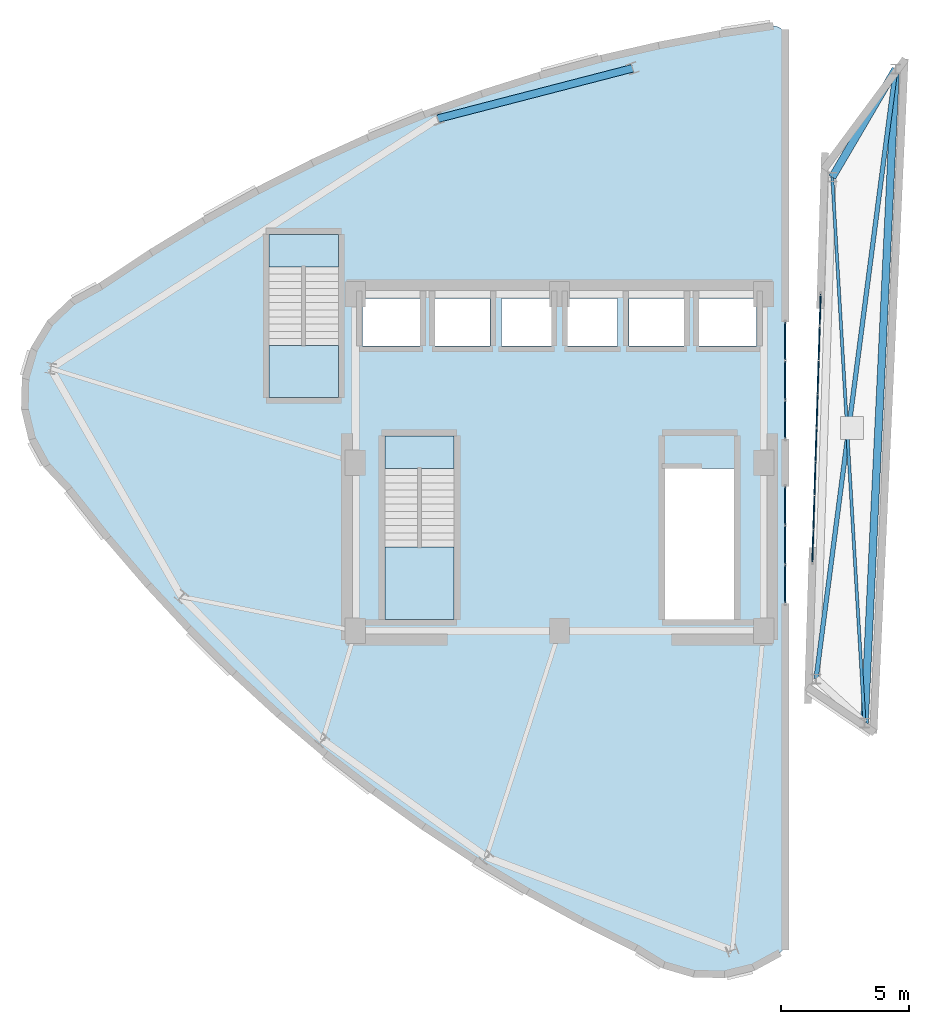
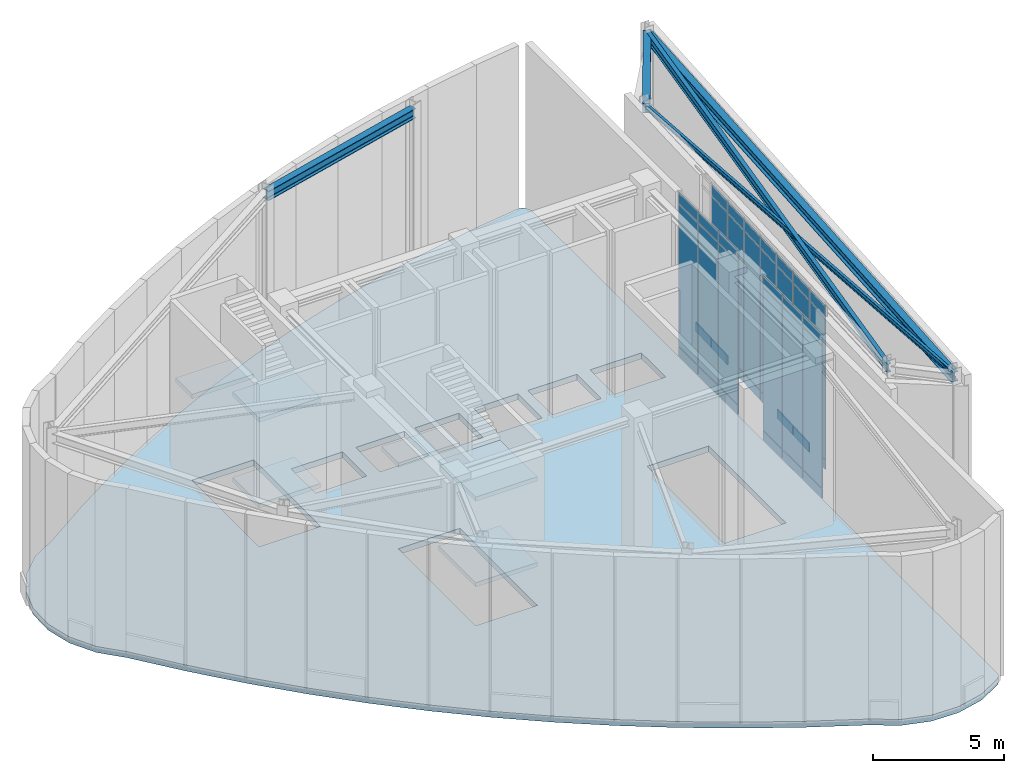
# One storey, part 9 of 12: 40 plates, 7 slabs, 5 beams, 5 elements without a shape of their own.
"""IFC4 building model written with IfcOpenShell, lengths in metres."""

from ifc_helpers import new_model, si_unit, direction, frame, origin, origin_2d, place, context, subcontext, project, spatial, polyline, rectangle, i_section, outline, extrude, material, layer, layer_set, material_profile, profile_set, type_object, element, aggregate, save


model = new_model("IFC4")

# Units and contexts
model_context = context("Model", 3, precision=1e-05, world=origin(), true_north=direction((0.0, 1.0)))
body_context = subcontext(model_context, "Body", "Model", "MODEL_VIEW")
ifc_project = project(units=[si_unit("LENGTHUNIT", "METRE"), si_unit("AREAUNIT", "SQUARE_METRE"), si_unit("VOLUMEUNIT", "CUBIC_METRE"), si_unit("PLANEANGLEUNIT", "RADIAN"), si_unit("MASSUNIT", "GRAM", prefix="KILO")], contexts=[model_context])

# Site, building, storey
site_placement = place(None, origin())
site = spatial("IfcSite", under=ifc_project, at=site_placement, CompositionType="ELEMENT")
building_placement = place(site_placement, origin())
building = spatial("IfcBuilding", under=site, at=building_placement, Name="Ndelora Gate Hotel", CompositionType="ELEMENT")
storey_placement = place(building_placement, frame((0.0, 0.0, 303.60009765625)))
storey = spatial("IfcBuildingStorey", under=building, at=storey_placement, Name="RF1", CompositionType="ELEMENT", Elevation=303.60009765625)

# Beams
ifc_material_1 = material(Name="Steel S355", Category="steel")
ifc_material_profile_1 = material_profile(ifc_material_1, i_section(OverallWidth=0.1201171875, OverallDepth=0.239990234375, WebThickness=0.006103515625, FlangeThickness=0.009765625, FilletRadius=0.014892578125, at=origin_2d()), Name="IPE 240")
ifc_profile_set_1 = profile_set([ifc_material_profile_1], Name="Steel S355")
beam_type_1 = type_object("IfcBeamType", Name="BM-CRN-240", PredefinedType="SPANDREL", material=ifc_profile_set_1)
beam_1_placement = place(storey_placement, frame((11.956787109375, -10.212158203125, 7.599853515625), z_axis=(-0.058984351472, 0.998258907439, 0.0), x_axis=(-0.998258907439, -0.058984351472, 0.0)))
element("IfcBeam", 1, at=beam_1_placement, inside=storey, type_object=beam_type_1, Name="RF1 structural beam KB-1", PredefinedType="SPANDREL", context=body_context, shape_type="SweptSolid", body=[
    extrude(i_section(OverallWidth=0.1201171875, OverallDepth=0.239990234375, WebThickness=0.006103515625, FlangeThickness=0.009765625, FilletRadius=0.014892578125, at=origin_2d()), origin(), (0.0, 0.0, 1.0), 21.4404296875),
])
ifc_material_profile_2 = material_profile(ifc_material_1, i_section(OverallWidth=0.179931640625, OverallDepth=0.39990234375, WebThickness=0.008544921875, FlangeThickness=0.013427734375, FilletRadius=0.02099609375, at=origin_2d()), Name="IPE 400")
ifc_profile_set_2 = profile_set([ifc_material_profile_2], Name="Steel S355")
beam_type_2 = type_object("IfcBeamType", Name="BM-RAD-400", PredefinedType="BEAM", material=ifc_profile_set_2)
beam_2_placement = place(storey_placement, frame((10.0576171875, -8.478271484375, 7.52001953125), z_axis=(0.129384639667, 0.991594481135, 0.0), x_axis=(-0.991594481135, 0.129384639667, 0.0)))
element("IfcBeam", 2, at=beam_2_placement, inside=storey, type_object=beam_type_2, Name="RF1 structural beam FB-5", PredefinedType="BEAM", context=body_context, shape_type="SweptSolid", body=[
    extrude(i_section(OverallWidth=0.179931640625, OverallDepth=0.39990234375, WebThickness=0.008544921875, FlangeThickness=0.013427734375, FilletRadius=0.02099609375, at=origin_2d()), origin(), (0.0, 0.0, 1.0), 24.109375),
])
ifc_material_profile_3 = material_profile(ifc_material_1, i_section(OverallWidth=0.300048828125, OverallDepth=0.449951171875, WebThickness=0.013916015625, FlangeThickness=0.02587890625, FilletRadius=0.027099609375, at=origin_2d()), Name="HEB 450")
ifc_profile_set_3 = profile_set([ifc_material_profile_3], Name="Steel S355")
beam_type_3 = type_object("IfcBeamType", Name="BM-RING-450", PredefinedType="SPANDREL", material=ifc_profile_set_3)
beam_3_placement = place(storey_placement, frame((2.865478515625, 15.461181640625, 7.494873046875), z_axis=(-0.968064499617, -0.250701265615, 0.0), x_axis=(0.250701265615, -0.968064499617, 0.0)))
element("IfcBeam", 3, at=beam_3_placement, inside=storey, type_object=beam_type_3, Name="RF1 structural beam RB-5", PredefinedType="SPANDREL", context=body_context, shape_type="SweptSolid", body=[
    extrude(i_section(OverallWidth=0.300048828125, OverallDepth=0.449951171875, WebThickness=0.013916015625, FlangeThickness=0.02587890625, FilletRadius=0.027099609375, at=origin_2d()), origin(), (0.0, 0.0, 1.0), 7.891845703125),
])
beam_4_placement = place(storey_placement, frame((11.956787109375, -10.212158203125, 7.494873046875), z_axis=(0.047535325718, 0.998869557454, 0.0), x_axis=(-0.998869557454, 0.047535325718, 0.0)))
element("IfcBeam", 4, at=beam_4_placement, inside=storey, type_object=beam_type_3, Name="RF1 structural beam RB-5", PredefinedType="SPANDREL", context=body_context, shape_type="SweptSolid", body=[
    extrude(i_section(OverallWidth=0.300048828125, OverallDepth=0.449951171875, WebThickness=0.013916015625, FlangeThickness=0.02587890625, FilletRadius=0.027099609375, at=origin_2d()), origin(), (0.0, 0.0, 1.0), 25.669677734375),
])
beam_5_placement = place(storey_placement, frame((13.177001953125, 15.428466796875, 7.494873046875), z_axis=(-0.505838113207, -0.862628427092, 0.0), x_axis=(0.862628427092, -0.505838113207, 0.0)))
element("IfcBeam", 5, at=beam_5_placement, inside=storey, type_object=beam_type_3, Name="RF1 structural beam RB-5", PredefinedType="SPANDREL", context=body_context, shape_type="SweptSolid", body=[
    extrude(i_section(OverallWidth=0.300048828125, OverallDepth=0.449951171875, WebThickness=0.013916015625, FlangeThickness=0.02587890625, FilletRadius=0.027099609375, at=origin_2d()), origin(), (0.0, 0.0, 1.0), 4.912353515625),
])

# Curtain wall, plates
ifc_material_2 = material(Name="Bronze Anodised Unitised Aluminium and Low-E Glass", Category="aluminium")
ifc_layer_1 = layer(ifc_material_2, 0.199951171875)
ifc_layer_set_1 = layer_set([ifc_layer_1], Name="Bronze Anodised Unitised Aluminium and Low-E Glass")
curtain_wall_type = type_object("IfcCurtainWallType", Name="CW-SYS-8", PredefinedType="NOTDEFINED", material=ifc_layer_set_1)
curtain_wall_1_placement = place(storey_placement, origin())
curtain_wall_1 = element("IfcCurtainWall", 6, at=curtain_wall_1_placement, inside=storey, type_object=curtain_wall_type, Name="RF1 Split-Crown West Cleft Lantern Curtain Wall CW8-1", PredefinedType="NOTDEFINED")
ifc_material_3 = material(Name="Solar-Control Low-E Insulated Glazing", Category="glass")
ifc_layer_2 = layer(ifc_material_3, 0.048095703125)
ifc_layer_set_2 = layer_set([ifc_layer_2], Name="Solar-Control Low-E Insulated Glazing")
plate_type = type_object("IfcPlateType", Name="PL-CW-GLZ36", PredefinedType="CURTAIN_PANEL", material=ifc_layer_set_2)
plate_1_placement = place(storey_placement, frame((8.85009765625, -4.760009765625, 0.0537109375), z_axis=(0.0, 0.0, 1.0), x_axis=(0.0, 1.0, 0.0)))
plate_1 = element("IfcPlate", 7, at=plate_1_placement, type_object=plate_type, Name="CW8 panel 1.1", PredefinedType="CURTAIN_PANEL", context=body_context, shape_type="SweptSolid", body=[
    extrude(rectangle(XDim=1.471923828125, YDim=0.048095703125, at=origin_2d()), origin(), (0.0, 0.0, 1.0), 0.422119140625),
])
plate_2_placement = place(storey_placement, frame((8.85009765625, -4.760009765625, 0.52392578125), z_axis=(0.0, 0.0, 1.0), x_axis=(0.0, 1.0, 0.0)))
plate_2 = element("IfcPlate", 8, at=plate_2_placement, type_object=plate_type, Name="CW8 panel 1.2", PredefinedType="CURTAIN_PANEL", context=body_context, shape_type="SweptSolid", body=[
    extrude(rectangle(XDim=1.471923828125, YDim=0.048095703125, at=origin_2d()), origin(), (0.0, 0.0, 1.0), 6.6220703125),
])
plate_3_placement = place(storey_placement, frame((8.85009765625, -4.760009765625, 7.19384765625), z_axis=(0.0, 0.0, 1.0), x_axis=(0.0, 1.0, 0.0)))
plate_3 = element("IfcPlate", 9, at=plate_3_placement, type_object=plate_type, Name="CW8 panel 1.3", PredefinedType="CURTAIN_PANEL", context=body_context, shape_type="SweptSolid", body=[
    extrude(rectangle(XDim=1.471923828125, YDim=0.048095703125, at=origin_2d()), origin(), (0.0, 0.0, 1.0), 0.471923828125),
])
plate_4_placement = place(storey_placement, frame((8.85009765625, -3.22509765625, 0.0537109375), z_axis=(0.0, 0.0, 1.0), x_axis=(0.0, 1.0, 0.0)))
plate_4 = element("IfcPlate", 10, at=plate_4_placement, type_object=plate_type, Name="CW8 panel 2.1", PredefinedType="CURTAIN_PANEL", context=body_context, shape_type="SweptSolid", body=[
    extrude(rectangle(XDim=1.501953125, YDim=0.048095703125, at=origin_2d()), origin(), (0.0, 0.0, 1.0), 0.422119140625),
])
plate_5_placement = place(storey_placement, frame((8.85009765625, -3.22509765625, 0.52392578125), z_axis=(0.0, 0.0, 1.0), x_axis=(0.0, 1.0, 0.0)))
plate_5 = element("IfcPlate", 11, at=plate_5_placement, type_object=plate_type, Name="CW8 panel 2.2", PredefinedType="CURTAIN_PANEL", context=body_context, shape_type="SweptSolid", body=[
    extrude(rectangle(XDim=1.501953125, YDim=0.048095703125, at=origin_2d()), origin(), (0.0, 0.0, 1.0), 6.6220703125),
])
plate_6_placement = place(storey_placement, frame((8.85009765625, -3.22509765625, 7.19384765625), z_axis=(0.0, 0.0, 1.0), x_axis=(0.0, 1.0, 0.0)))
plate_6 = element("IfcPlate", 12, at=plate_6_placement, type_object=plate_type, Name="CW8 panel 2.3", PredefinedType="CURTAIN_PANEL", context=body_context, shape_type="SweptSolid", body=[
    extrude(rectangle(XDim=1.501953125, YDim=0.048095703125, at=origin_2d()), origin(), (0.0, 0.0, 1.0), 0.471923828125),
])
plate_7_placement = place(storey_placement, frame((8.85009765625, -1.68994140625, 0.0537109375), z_axis=(0.0, 0.0, 1.0), x_axis=(0.0, 1.0, 0.0)))
plate_7 = element("IfcPlate", 13, at=plate_7_placement, type_object=plate_type, Name="CW8 panel 3.1", PredefinedType="CURTAIN_PANEL", context=body_context, shape_type="SweptSolid", body=[
    extrude(rectangle(XDim=1.471923828125, YDim=0.048095703125, at=origin_2d()), origin(), (0.0, 0.0, 1.0), 0.422119140625),
])
plate_8_placement = place(storey_placement, frame((8.85009765625, -1.68994140625, 0.52392578125), z_axis=(0.0, 0.0, 1.0), x_axis=(0.0, 1.0, 0.0)))
plate_8 = element("IfcPlate", 14, at=plate_8_placement, type_object=plate_type, Name="CW8 panel 3.2", PredefinedType="CURTAIN_PANEL", context=body_context, shape_type="SweptSolid", body=[
    extrude(rectangle(XDim=1.471923828125, YDim=0.048095703125, at=origin_2d()), origin(), (0.0, 0.0, 1.0), 6.6220703125),
])
plate_9_placement = place(storey_placement, frame((8.85009765625, -1.68994140625, 7.19384765625), z_axis=(0.0, 0.0, 1.0), x_axis=(0.0, 1.0, 0.0)))
plate_9 = element("IfcPlate", 15, at=plate_9_placement, type_object=plate_type, Name="CW8 panel 3.3", PredefinedType="CURTAIN_PANEL", context=body_context, shape_type="SweptSolid", body=[
    extrude(rectangle(XDim=1.471923828125, YDim=0.048095703125, at=origin_2d()), origin(), (0.0, 0.0, 1.0), 0.471923828125),
])
aggregate(curtain_wall_1, [plate_1, plate_2, plate_3, plate_4, plate_5, plate_6, plate_7, plate_8, plate_9])

curtain_wall_2_placement = place(storey_placement, origin())
curtain_wall_2 = element("IfcCurtainWall", 16, at=curtain_wall_2_placement, inside=storey, type_object=curtain_wall_type, Name="RF1 Split-Crown West Cleft Lantern Curtain Wall CW8-2", PredefinedType="NOTDEFINED")
plate_10_placement = place(storey_placement, frame((8.85009765625, 1.68994140625, 0.0537109375), z_axis=(0.0, 0.0, 1.0), x_axis=(0.0, 1.0, 0.0)))
plate_10 = element("IfcPlate", 17, at=plate_10_placement, type_object=plate_type, Name="CW8 panel 1.1", PredefinedType="CURTAIN_PANEL", context=body_context, shape_type="SweptSolid", body=[
    extrude(rectangle(XDim=1.471923828125, YDim=0.048095703125, at=origin_2d()), origin(), (0.0, 0.0, 1.0), 0.422119140625),
])
plate_11_placement = place(storey_placement, frame((8.85009765625, 1.68994140625, 0.52392578125), z_axis=(0.0, 0.0, 1.0), x_axis=(0.0, 1.0, 0.0)))
plate_11 = element("IfcPlate", 18, at=plate_11_placement, type_object=plate_type, Name="CW8 panel 1.2", PredefinedType="CURTAIN_PANEL", context=body_context, shape_type="SweptSolid", body=[
    extrude(rectangle(XDim=1.471923828125, YDim=0.048095703125, at=origin_2d()), origin(), (0.0, 0.0, 1.0), 6.6220703125),
])
plate_12_placement = place(storey_placement, frame((8.85009765625, 1.68994140625, 7.19384765625), z_axis=(0.0, 0.0, 1.0), x_axis=(0.0, 1.0, 0.0)))
plate_12 = element("IfcPlate", 19, at=plate_12_placement, type_object=plate_type, Name="CW8 panel 1.3", PredefinedType="CURTAIN_PANEL", context=body_context, shape_type="SweptSolid", body=[
    extrude(rectangle(XDim=1.471923828125, YDim=0.048095703125, at=origin_2d()), origin(), (0.0, 0.0, 1.0), 0.471923828125),
])
plate_13_placement = place(storey_placement, frame((8.85009765625, 3.22509765625, 0.0537109375), z_axis=(0.0, 0.0, 1.0), x_axis=(0.0, 1.0, 0.0)))
plate_13 = element("IfcPlate", 20, at=plate_13_placement, type_object=plate_type, Name="CW8 panel 2.1", PredefinedType="CURTAIN_PANEL", context=body_context, shape_type="SweptSolid", body=[
    extrude(rectangle(XDim=1.501953125, YDim=0.048095703125, at=origin_2d()), origin(), (0.0, 0.0, 1.0), 0.422119140625),
])
plate_14_placement = place(storey_placement, frame((8.85009765625, 3.22509765625, 0.52392578125), z_axis=(0.0, 0.0, 1.0), x_axis=(0.0, 1.0, 0.0)))
plate_14 = element("IfcPlate", 21, at=plate_14_placement, type_object=plate_type, Name="CW8 panel 2.2", PredefinedType="CURTAIN_PANEL", context=body_context, shape_type="SweptSolid", body=[
    extrude(rectangle(XDim=1.501953125, YDim=0.048095703125, at=origin_2d()), origin(), (0.0, 0.0, 1.0), 6.6220703125),
])
plate_15_placement = place(storey_placement, frame((8.85009765625, 3.22509765625, 7.19384765625), z_axis=(0.0, 0.0, 1.0), x_axis=(0.0, 1.0, 0.0)))
plate_15 = element("IfcPlate", 22, at=plate_15_placement, type_object=plate_type, Name="CW8 panel 2.3", PredefinedType="CURTAIN_PANEL", context=body_context, shape_type="SweptSolid", body=[
    extrude(rectangle(XDim=1.501953125, YDim=0.048095703125, at=origin_2d()), origin(), (0.0, 0.0, 1.0), 0.471923828125),
])
plate_16_placement = place(storey_placement, frame((8.85009765625, 4.760009765625, 0.0537109375), z_axis=(0.0, 0.0, 1.0), x_axis=(0.0, 1.0, 0.0)))
plate_16 = element("IfcPlate", 23, at=plate_16_placement, type_object=plate_type, Name="CW8 panel 3.1", PredefinedType="CURTAIN_PANEL", context=body_context, shape_type="SweptSolid", body=[
    extrude(rectangle(XDim=1.471923828125, YDim=0.048095703125, at=origin_2d()), origin(), (0.0, 0.0, 1.0), 0.422119140625),
])
plate_17_placement = place(storey_placement, frame((8.85009765625, 4.760009765625, 0.52392578125), z_axis=(0.0, 0.0, 1.0), x_axis=(0.0, 1.0, 0.0)))
plate_17 = element("IfcPlate", 24, at=plate_17_placement, type_object=plate_type, Name="CW8 panel 3.2", PredefinedType="CURTAIN_PANEL", context=body_context, shape_type="SweptSolid", body=[
    extrude(rectangle(XDim=1.471923828125, YDim=0.048095703125, at=origin_2d()), origin(), (0.0, 0.0, 1.0), 6.6220703125),
])
plate_18_placement = place(storey_placement, frame((8.85009765625, 4.760009765625, 7.19384765625), z_axis=(0.0, 0.0, 1.0), x_axis=(0.0, 1.0, 0.0)))
plate_18 = element("IfcPlate", 25, at=plate_18_placement, type_object=plate_type, Name="CW8 panel 3.3", PredefinedType="CURTAIN_PANEL", context=body_context, shape_type="SweptSolid", body=[
    extrude(rectangle(XDim=1.471923828125, YDim=0.048095703125, at=origin_2d()), origin(), (0.0, 0.0, 1.0), 0.471923828125),
])
aggregate(curtain_wall_2, [plate_10, plate_11, plate_12, plate_13, plate_14, plate_15, plate_16, plate_17, plate_18])

curtain_wall_3_placement = place(storey_placement, origin())
curtain_wall_3 = element("IfcCurtainWall", 26, at=curtain_wall_3_placement, inside=storey, type_object=curtain_wall_type, Name="RF1 Split-Crown East Cleft Lantern Curtain Wall CW8", PredefinedType="NOTDEFINED")
plate_19_placement = place(storey_placement, frame((10.21875, 5.97509765625, 0.0537109375), z_axis=(0.0, 0.0, 1.0), x_axis=(-0.031131345484, -0.999515302198, 0.0)))
plate_19 = element("IfcPlate", 27, at=plate_19_placement, type_object=plate_type, Name="CW8 panel 1.1", PredefinedType="CURTAIN_PANEL", context=body_context, shape_type="SweptSolid", body=[
    extrude(rectangle(XDim=1.24658203125, YDim=0.048095703125, at=origin_2d()), origin(), (0.0, 0.0, 1.0), 0.422119140625),
])
plate_20_placement = place(storey_placement, frame((10.177978515625, 4.666259765625, 0.0537109375), z_axis=(0.0, 0.0, 1.0), x_axis=(-0.031131345484, -0.999515302198, 0.0)))
plate_20 = element("IfcPlate", 28, at=plate_20_placement, type_object=plate_type, Name="CW8 panel 2.1", PredefinedType="CURTAIN_PANEL", context=body_context, shape_type="SweptSolid", body=[
    extrude(rectangle(XDim=1.276611328125, YDim=0.048095703125, at=origin_2d()), origin(), (0.0, 0.0, 1.0), 0.422119140625),
])
plate_21_placement = place(storey_placement, frame((10.177978515625, 4.666259765625, 0.52392578125), z_axis=(0.0, 0.0, 1.0), x_axis=(-0.031131345484, -0.999515302198, 0.0)))
plate_21 = element("IfcPlate", 29, at=plate_21_placement, type_object=plate_type, Name="CW8 panel 2.2", PredefinedType="CURTAIN_PANEL", context=body_context, shape_type="SweptSolid", body=[
    extrude(rectangle(XDim=1.276611328125, YDim=0.048095703125, at=origin_2d()), origin(), (0.0, 0.0, 1.0), 6.6220703125),
])
plate_22_placement = place(storey_placement, frame((10.177978515625, 4.666259765625, 7.19384765625), z_axis=(0.0, 0.0, 1.0), x_axis=(-0.031131345484, -0.999515302198, 0.0)))
plate_22 = element("IfcPlate", 30, at=plate_22_placement, type_object=plate_type, Name="CW8 panel 2.3", PredefinedType="CURTAIN_PANEL", context=body_context, shape_type="SweptSolid", body=[
    extrude(rectangle(XDim=1.276611328125, YDim=0.048095703125, at=origin_2d()), origin(), (0.0, 0.0, 1.0), 0.471923828125),
])
plate_23_placement = place(storey_placement, frame((10.13671875, 3.34228515625, 0.0537109375), z_axis=(0.0, 0.0, 1.0), x_axis=(-0.031131345484, -0.999515302198, 0.0)))
plate_23 = element("IfcPlate", 31, at=plate_23_placement, type_object=plate_type, Name="CW8 panel 3.1", PredefinedType="CURTAIN_PANEL", context=body_context, shape_type="SweptSolid", body=[
    extrude(rectangle(XDim=1.276611328125, YDim=0.048095703125, at=origin_2d()), origin(), (0.0, 0.0, 1.0), 0.422119140625),
])
plate_24_placement = place(storey_placement, frame((10.13671875, 3.34228515625, 0.52392578125), z_axis=(0.0, 0.0, 1.0), x_axis=(-0.031131345484, -0.999515302198, 0.0)))
plate_24 = element("IfcPlate", 32, at=plate_24_placement, type_object=plate_type, Name="CW8 panel 3.2", PredefinedType="CURTAIN_PANEL", context=body_context, shape_type="SweptSolid", body=[
    extrude(rectangle(XDim=1.276611328125, YDim=0.048095703125, at=origin_2d()), origin(), (0.0, 0.0, 1.0), 6.6220703125),
])
plate_25_placement = place(storey_placement, frame((10.13671875, 3.34228515625, 7.19384765625), z_axis=(0.0, 0.0, 1.0), x_axis=(-0.031131345484, -0.999515302198, 0.0)))
plate_25 = element("IfcPlate", 33, at=plate_25_placement, type_object=plate_type, Name="CW8 panel 3.3", PredefinedType="CURTAIN_PANEL", context=body_context, shape_type="SweptSolid", body=[
    extrude(rectangle(XDim=1.276611328125, YDim=0.048095703125, at=origin_2d()), origin(), (0.0, 0.0, 1.0), 0.471923828125),
])
plate_26_placement = place(storey_placement, frame((10.095458984375, 2.018310546875, 0.0537109375), z_axis=(0.0, 0.0, 1.0), x_axis=(-0.031131345484, -0.999515302198, 0.0)))
plate_26 = element("IfcPlate", 34, at=plate_26_placement, type_object=plate_type, Name="CW8 panel 4.1", PredefinedType="CURTAIN_PANEL", context=body_context, shape_type="SweptSolid", body=[
    extrude(rectangle(XDim=1.276611328125, YDim=0.048095703125, at=origin_2d()), origin(), (0.0, 0.0, 1.0), 0.422119140625),
])
plate_27_placement = place(storey_placement, frame((10.095458984375, 2.018310546875, 0.52392578125), z_axis=(0.0, 0.0, 1.0), x_axis=(-0.031131345484, -0.999515302198, 0.0)))
plate_27 = element("IfcPlate", 35, at=plate_27_placement, type_object=plate_type, Name="CW8 panel 4.2", PredefinedType="CURTAIN_PANEL", context=body_context, shape_type="SweptSolid", body=[
    extrude(rectangle(XDim=1.276611328125, YDim=0.048095703125, at=origin_2d()), origin(), (0.0, 0.0, 1.0), 6.6220703125),
])
plate_28_placement = place(storey_placement, frame((10.095458984375, 2.018310546875, 7.19384765625), z_axis=(0.0, 0.0, 1.0), x_axis=(-0.031131345484, -0.999515302198, 0.0)))
plate_28 = element("IfcPlate", 36, at=plate_28_placement, type_object=plate_type, Name="CW8 panel 4.3", PredefinedType="CURTAIN_PANEL", context=body_context, shape_type="SweptSolid", body=[
    extrude(rectangle(XDim=1.276611328125, YDim=0.048095703125, at=origin_2d()), origin(), (0.0, 0.0, 1.0), 0.471923828125),
])
plate_29_placement = place(storey_placement, frame((10.05419921875, 0.6943359375, 0.0537109375), z_axis=(0.0, 0.0, 1.0), x_axis=(-0.031131345484, -0.999515302198, 0.0)))
plate_29 = element("IfcPlate", 37, at=plate_29_placement, type_object=plate_type, Name="CW8 panel 5.1", PredefinedType="CURTAIN_PANEL", context=body_context, shape_type="SweptSolid", body=[
    extrude(rectangle(XDim=1.276611328125, YDim=0.048095703125, at=origin_2d()), origin(), (0.0, 0.0, 1.0), 0.422119140625),
])
plate_30_placement = place(storey_placement, frame((10.05419921875, 0.6943359375, 0.52392578125), z_axis=(0.0, 0.0, 1.0), x_axis=(-0.031131345484, -0.999515302198, 0.0)))
plate_30 = element("IfcPlate", 38, at=plate_30_placement, type_object=plate_type, Name="CW8 panel 5.2", PredefinedType="CURTAIN_PANEL", context=body_context, shape_type="SweptSolid", body=[
    extrude(rectangle(XDim=1.276611328125, YDim=0.048095703125, at=origin_2d()), origin(), (0.0, 0.0, 1.0), 6.6220703125),
])
plate_31_placement = place(storey_placement, frame((10.05419921875, 0.6943359375, 7.19384765625), z_axis=(0.0, 0.0, 1.0), x_axis=(-0.031131345484, -0.999515302198, 0.0)))
plate_31 = element("IfcPlate", 39, at=plate_31_placement, type_object=plate_type, Name="CW8 panel 5.3", PredefinedType="CURTAIN_PANEL", context=body_context, shape_type="SweptSolid", body=[
    extrude(rectangle(XDim=1.276611328125, YDim=0.048095703125, at=origin_2d()), origin(), (0.0, 0.0, 1.0), 0.471923828125),
])
plate_32_placement = place(storey_placement, frame((10.012939453125, -0.629638671875, 0.0537109375), z_axis=(0.0, 0.0, 1.0), x_axis=(-0.031131345484, -0.999515302198, 0.0)))
plate_32 = element("IfcPlate", 40, at=plate_32_placement, type_object=plate_type, Name="CW8 panel 6.1", PredefinedType="CURTAIN_PANEL", context=body_context, shape_type="SweptSolid", body=[
    extrude(rectangle(XDim=1.276611328125, YDim=0.048095703125, at=origin_2d()), origin(), (0.0, 0.0, 1.0), 0.422119140625),
])
plate_33_placement = place(storey_placement, frame((10.012939453125, -0.629638671875, 0.52392578125), z_axis=(0.0, 0.0, 1.0), x_axis=(-0.031131345484, -0.999515302198, 0.0)))
plate_33 = element("IfcPlate", 41, at=plate_33_placement, type_object=plate_type, Name="CW8 panel 6.2", PredefinedType="CURTAIN_PANEL", context=body_context, shape_type="SweptSolid", body=[
    extrude(rectangle(XDim=1.276611328125, YDim=0.048095703125, at=origin_2d()), origin(), (0.0, 0.0, 1.0), 6.6220703125),
])
plate_34_placement = place(storey_placement, frame((10.012939453125, -0.629638671875, 7.19384765625), z_axis=(0.0, 0.0, 1.0), x_axis=(-0.031131345484, -0.999515302198, 0.0)))
plate_34 = element("IfcPlate", 42, at=plate_34_placement, type_object=plate_type, Name="CW8 panel 6.3", PredefinedType="CURTAIN_PANEL", context=body_context, shape_type="SweptSolid", body=[
    extrude(rectangle(XDim=1.276611328125, YDim=0.048095703125, at=origin_2d()), origin(), (0.0, 0.0, 1.0), 0.471923828125),
])
plate_35_placement = place(storey_placement, frame((9.9716796875, -1.95361328125, 0.0537109375), z_axis=(0.0, 0.0, 1.0), x_axis=(-0.031131345484, -0.999515302198, 0.0)))
plate_35 = element("IfcPlate", 43, at=plate_35_placement, type_object=plate_type, Name="CW8 panel 7.1", PredefinedType="CURTAIN_PANEL", context=body_context, shape_type="SweptSolid", body=[
    extrude(rectangle(XDim=1.276611328125, YDim=0.048095703125, at=origin_2d()), origin(), (0.0, 0.0, 1.0), 0.422119140625),
])
plate_36_placement = place(storey_placement, frame((9.9716796875, -1.95361328125, 0.52392578125), z_axis=(0.0, 0.0, 1.0), x_axis=(-0.031131345484, -0.999515302198, 0.0)))
plate_36 = element("IfcPlate", 44, at=plate_36_placement, type_object=plate_type, Name="CW8 panel 7.2", PredefinedType="CURTAIN_PANEL", context=body_context, shape_type="SweptSolid", body=[
    extrude(rectangle(XDim=1.276611328125, YDim=0.048095703125, at=origin_2d()), origin(), (0.0, 0.0, 1.0), 6.6220703125),
])
plate_37_placement = place(storey_placement, frame((9.9716796875, -1.95361328125, 7.19384765625), z_axis=(0.0, 0.0, 1.0), x_axis=(-0.031131345484, -0.999515302198, 0.0)))
plate_37 = element("IfcPlate", 45, at=plate_37_placement, type_object=plate_type, Name="CW8 panel 7.3", PredefinedType="CURTAIN_PANEL", context=body_context, shape_type="SweptSolid", body=[
    extrude(rectangle(XDim=1.276611328125, YDim=0.048095703125, at=origin_2d()), origin(), (0.0, 0.0, 1.0), 0.471923828125),
])
plate_38_placement = place(storey_placement, frame((9.930908203125, -3.2626953125, 0.0537109375), z_axis=(0.0, 0.0, 1.0), x_axis=(-0.031131345484, -0.999515302198, 0.0)))
plate_38 = element("IfcPlate", 46, at=plate_38_placement, type_object=plate_type, Name="CW8 panel 8.1", PredefinedType="CURTAIN_PANEL", context=body_context, shape_type="SweptSolid", body=[
    extrude(rectangle(XDim=1.24658203125, YDim=0.048095703125, at=origin_2d()), origin(), (0.0, 0.0, 1.0), 0.422119140625),
])
plate_39_placement = place(storey_placement, frame((9.930908203125, -3.2626953125, 0.52392578125), z_axis=(0.0, 0.0, 1.0), x_axis=(-0.031131345484, -0.999515302198, 0.0)))
plate_39 = element("IfcPlate", 47, at=plate_39_placement, type_object=plate_type, Name="CW8 panel 8.2", PredefinedType="CURTAIN_PANEL", context=body_context, shape_type="SweptSolid", body=[
    extrude(rectangle(XDim=1.24658203125, YDim=0.048095703125, at=origin_2d()), origin(), (0.0, 0.0, 1.0), 6.6220703125),
])
plate_40_placement = place(storey_placement, frame((9.930908203125, -3.2626953125, 7.19384765625), z_axis=(0.0, 0.0, 1.0), x_axis=(-0.031131345484, -0.999515302198, 0.0)))
plate_40 = element("IfcPlate", 48, at=plate_40_placement, type_object=plate_type, Name="CW8 panel 8.3", PredefinedType="CURTAIN_PANEL", context=body_context, shape_type="SweptSolid", body=[
    extrude(rectangle(XDim=1.24658203125, YDim=0.048095703125, at=origin_2d()), origin(), (0.0, 0.0, 1.0), 0.471923828125),
])
aggregate(curtain_wall_3, [plate_19, plate_20, plate_21, plate_22, plate_23, plate_24, plate_25, plate_26, plate_27, plate_28, plate_29, plate_30, plate_31, plate_32, plate_33, plate_34, plate_35, plate_36, plate_37, plate_38, plate_39, plate_40])

# Stair, slabs
ifc_material_4 = material(Name="Precast concrete C40/50", Category="concrete")
stair_type = type_object("IfcStairType", Name="STR-DOG-CORE", PredefinedType="HALF_TURN_STAIR", material=ifc_material_4)
stair_1_placement = place(storey_placement, origin())
stair_1 = element("IfcStair", 49, at=stair_1_placement, inside=storey, type_object=stair_type, Name="RF1 Protected Core Exit Stair ST4", PredefinedType="HALF_TURN_STAIR")
ifc_layer_3 = layer(ifc_material_4, 0.219970703125)
ifc_layer_set_3 = layer_set([ifc_layer_3], Name="Precast concrete C40/50")
slab_type_1 = type_object("IfcSlabType", Name="SL-LAND-220", PredefinedType="LANDING", material=ifc_layer_set_3)
slab_1_placement = place(storey_placement, frame((0.0, 0.0, 1.7998046875)))
slab_1 = element("IfcSlab", 50, at=slab_1_placement, type_object=slab_type_1, Name="ST4 landing 1", PredefinedType="LANDING", context=body_context, shape_type="SweptSolid", body=[
    extrude(outline(polyline([(-6.85009765625, -3.31005859375), (-6.85009765625, -6.14990234375), (-4.1298828125, -6.14990234375), (-4.1298828125, -3.31005859375), (-6.85009765625, -3.31005859375)])), origin(), (0.0, 0.0, 1.0), 0.2001953125),
])
slab_2_placement = place(storey_placement, frame((0.0, 0.0, 3.7998046875)))
slab_2 = element("IfcSlab", 51, at=slab_2_placement, type_object=slab_type_1, Name="ST4 landing 2", PredefinedType="LANDING", context=body_context, shape_type="SweptSolid", body=[
    extrude(outline(polyline([(-6.85009765625, 1.050048828125), (-6.85009765625, -0.22998046875), (-4.1298828125, -0.22998046875), (-4.1298828125, 1.050048828125), (-6.85009765625, 1.050048828125)])), origin(), (0.0, 0.0, 1.0), 0.2001953125),
])
slab_3_placement = place(storey_placement, frame((0.0, 0.0, 5.7998046875)))
slab_3 = element("IfcSlab", 52, at=slab_3_placement, type_object=slab_type_1, Name="ST4 landing 3", PredefinedType="LANDING", context=body_context, shape_type="SweptSolid", body=[
    extrude(outline(polyline([(-6.85009765625, -3.31005859375), (-6.85009765625, -6.14990234375), (-4.1298828125, -6.14990234375), (-4.1298828125, -3.31005859375), (-6.85009765625, -3.31005859375)])), origin(), (0.0, 0.0, 1.0), 0.2001953125),
])
aggregate(stair_1, [slab_1, slab_2, slab_3])

stair_2_placement = place(storey_placement, origin())
stair_2 = element("IfcStair", 53, at=stair_2_placement, inside=storey, type_object=stair_type, Name="RF1 Crown Observation Exit Stair ST6", PredefinedType="HALF_TURN_STAIR")
slab_4_placement = place(storey_placement, frame((0.0, 0.0, 1.7998046875)))
slab_4 = element("IfcSlab", 54, at=slab_4_placement, type_object=slab_type_1, Name="ST6 landing 1", PredefinedType="LANDING", context=body_context, shape_type="SweptSolid", body=[
    extrude(outline(polyline([(-11.389892578125, 4.590087890625), (-11.389892578125, 2.550048828125), (-8.669921875, 2.550048828125), (-8.669921875, 4.590087890625), (-11.389892578125, 4.590087890625)])), origin(), (0.0, 0.0, 1.0), 0.2001953125),
])
slab_5_placement = place(storey_placement, frame((0.0, 0.0, 3.7998046875)))
slab_5 = element("IfcSlab", 55, at=slab_5_placement, type_object=slab_type_1, Name="ST6 landing 2", PredefinedType="LANDING", context=body_context, shape_type="SweptSolid", body=[
    extrude(outline(polyline([(-11.389892578125, 8.949951171875), (-11.389892578125, 7.669921875), (-8.669921875, 7.669921875), (-8.669921875, 8.949951171875), (-11.389892578125, 8.949951171875)])), origin(), (0.0, 0.0, 1.0), 0.2001953125),
])
slab_6_placement = place(storey_placement, frame((0.0, 0.0, 5.7998046875)))
slab_6 = element("IfcSlab", 56, at=slab_6_placement, type_object=slab_type_1, Name="ST6 landing 3", PredefinedType="LANDING", context=body_context, shape_type="SweptSolid", body=[
    extrude(outline(polyline([(-11.389892578125, 4.590087890625), (-11.389892578125, 2.550048828125), (-8.669921875, 2.550048828125), (-8.669921875, 4.590087890625), (-11.389892578125, 4.590087890625)])), origin(), (0.0, 0.0, 1.0), 0.2001953125),
])
aggregate(stair_2, [slab_4, slab_5, slab_6])

# Slab
ifc_material_5 = material(Name="Concrete C40/50", Category="concrete")
ifc_layer_4 = layer(ifc_material_5, 0.280029296875)
ifc_layer_set_4 = layer_set([ifc_layer_4], Name="Concrete C40/50")
slab_type_2 = type_object("IfcSlabType", Name="SL-ROOF-280", PredefinedType="ROOF", material=ifc_layer_set_4)
slab_7_placement = place(storey_placement, frame((0.0, 0.0, -0.280029296875)))
element("IfcSlab", 57, at=slab_7_placement, inside=storey, type_object=slab_type_2, Name="RF1 West Peak Lower Crown Roof Deck", PredefinedType="ROOF", context=body_context, shape_type="SweptSolid", body=[
    extrude(outline(polyline([(-18.02685546875, 6.884033203125), (-19.079833984375, 6.310302734375), (-19.14111328125, 6.26171875), (-19.94921875, 5.4921875), (-19.99609375, 5.42919921875), (-20.57763671875, 4.476806640625), (-20.606201171875, 4.40380859375), (-20.921630859375, 3.33349609375), (-20.930419921875, 3.255615234375), (-20.9580078125, 2.14013671875), (-20.9462890625, 2.0625), (-20.68408203125, 0.977783203125), (-20.653076171875, 0.906005859375), (-20.118896484375, -0.073974609375), (-20.0703125, -0.13525390625), (-19.25244140625, -0.998779296875), (-17.7255859375, -2.922607421875), (-16.142822265625, -4.764892578125), (-14.499267578125, -6.53173828125), (-12.794921875, -8.22314453125), (-11.029541015625, -9.839111328125), (-9.203369140625, -11.3798828125), (-7.31640625, -12.84521484375), (-5.3681640625, -14.235107421875), (-3.359130859375, -15.550048828125), (-1.2890625, -16.789794921875), (0.842041015625, -17.9541015625), (3.051513671875, -19.0537109375), (4.074951171875, -19.6787109375), (4.14794921875, -19.70751953125), (5.21826171875, -20.022705078125), (5.296142578125, -20.03173828125), (6.41162109375, -20.05908203125), (6.4892578125, -20.047607421875), (7.573974609375, -19.785400390625), (7.645751953125, -19.754150390625), (8.592041015625, -19.240234375), (8.657470703125, -19.197021484375), (8.709716796875, -19.149658203125), (8.769287109375, -19.08056640625), (8.8134765625, -19.0009765625), (8.8408203125, -18.9140625), (8.85009765625, -18.8232421875), (8.84765625, 16.70947265625), (8.82958984375, 16.798583984375), (8.793701171875, 16.8818359375), (8.741943359375, 16.95654296875), (8.676513671875, 17.019287109375), (8.599609375, 17.0673828125), (8.514404296875, 17.099365234375), (8.4248046875, 17.11328125), (8.333984375, 17.109375), (6.331787109375, 16.812255859375), (3.94482421875, 16.362548828125), (1.593017578125, 15.82275390625), (-0.723876953125, 15.192138671875), (-3.006103515625, 14.471435546875), (-5.25341796875, 13.66015625), (-7.466064453125, 12.7587890625), (-9.64404296875, 11.7666015625), (-11.787109375, 10.68408203125), (-13.895751953125, 9.51123046875), (-15.9697265625, 8.247802734375), (-18.02685546875, 6.884033203125)]), holes=[polyline([(-6.85009765625, -0.22998046875), (-6.85009765625, -6.14990234375), (-4.1298828125, -6.14990234375), (-4.1298828125, -0.22998046875), (-6.85009765625, -0.22998046875)]), polyline([(4.1298828125, -0.22998046875), (4.1298828125, -6.14990234375), (6.85009765625, -6.14990234375), (6.85009765625, -0.22998046875), (4.1298828125, -0.22998046875)]), polyline([(-11.389892578125, 7.669921875), (-11.389892578125, 2.550048828125), (-8.669921875, 2.550048828125), (-8.669921875, 7.669921875), (-11.389892578125, 7.669921875)]), polyline([(-7.72998046875, 4.570068359375), (-5.469970703125, 4.570068359375), (-5.469970703125, 6.429931640625), (-7.72998046875, 6.429931640625), (-7.72998046875, 4.570068359375)]), polyline([(5.469970703125, 4.570068359375), (7.72998046875, 4.570068359375), (7.72998046875, 6.429931640625), (5.469970703125, 6.429931640625), (5.469970703125, 4.570068359375)]), polyline([(-4.8798828125, 4.570068359375), (-2.719970703125, 4.570068359375), (-2.719970703125, 6.429931640625), (-4.8798828125, 6.429931640625), (-4.8798828125, 4.570068359375)]), polyline([(2.719970703125, 4.570068359375), (4.8798828125, 4.570068359375), (4.8798828125, 6.429931640625), (2.719970703125, 6.429931640625), (2.719970703125, 4.570068359375)]), polyline([(-2.280029296875, 4.570068359375), (-0.320068359375, 4.570068359375), (-0.320068359375, 6.429931640625), (-2.280029296875, 6.429931640625), (-2.280029296875, 4.570068359375)]), polyline([(0.320068359375, 4.570068359375), (2.280029296875, 4.570068359375), (2.280029296875, 6.429931640625), (0.320068359375, 6.429931640625), (0.320068359375, 4.570068359375)])]), origin(), (0.0, 0.0, 1.0), 0.280029296875),
])

save(model, "model.ifc")
